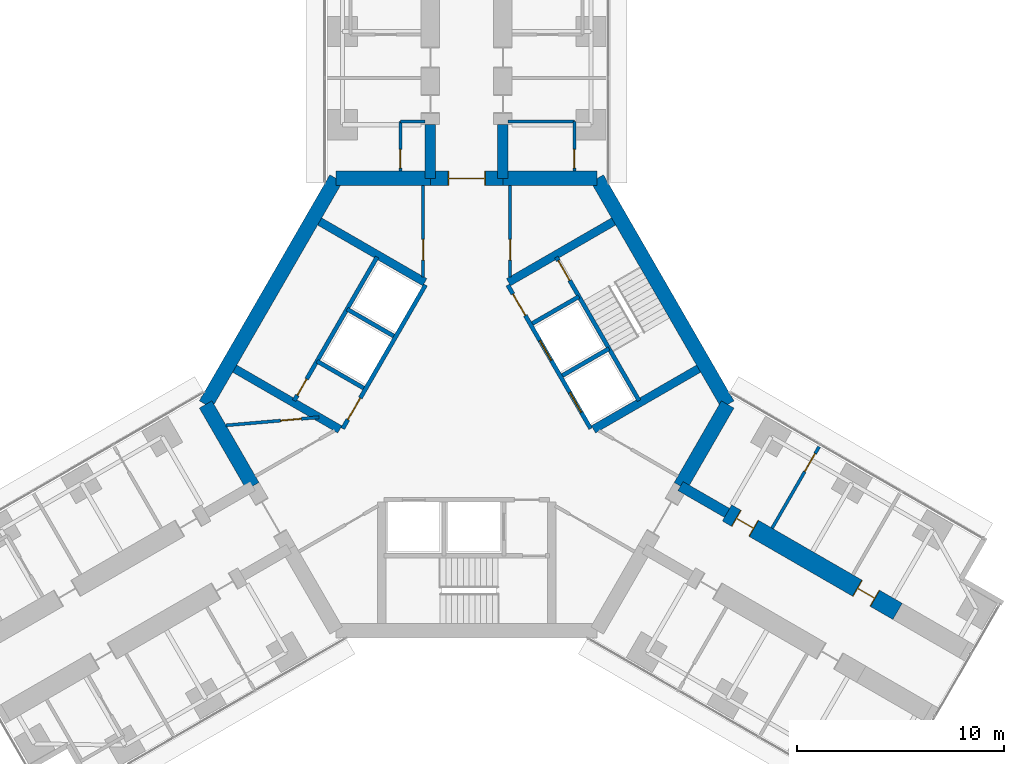
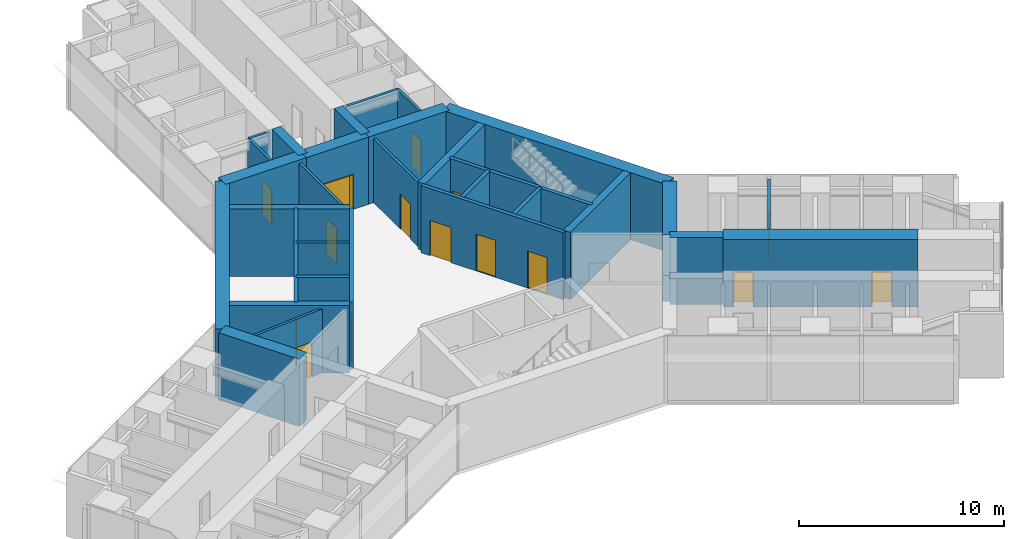
# One storey, part 21 of 24: 31 walls, 15 doors, 15 openings.
"""IFC4 building model written with IfcOpenShell, lengths in metres."""

from ifc_helpers import new_model, si_unit, direction, frame, frame_2d, origin, place, context, subcontext, project, spatial, rectangle, extrude, material, layer, layer_set, type_object, element, fill, save


model = new_model("IFC4")

# Units and contexts
model_context = context("Model", 3, precision=1e-05, world=origin(), true_north=direction((0.0, 1.0)))
body_context = subcontext(model_context, "Body", "Model", "MODEL_VIEW")
ifc_project = project(units=[si_unit("LENGTHUNIT", "METRE"), si_unit("AREAUNIT", "SQUARE_METRE"), si_unit("VOLUMEUNIT", "CUBIC_METRE"), si_unit("PLANEANGLEUNIT", "RADIAN"), si_unit("MASSUNIT", "GRAM", prefix="KILO")], contexts=[model_context])

# Site, building, storey
site_placement = place(None, origin())
site = spatial("IfcSite", under=ifc_project, at=site_placement, CompositionType="ELEMENT")
building_placement = place(site_placement, origin())
building = spatial("IfcBuilding", under=site, at=building_placement, Name="Upepo Twin Towers", CompositionType="ELEMENT")
storey_placement = place(building_placement, frame((0.0, 0.0, 60.5)))
storey = spatial("IfcBuildingStorey", under=building, at=storey_placement, Name="L14", CompositionType="ELEMENT", Elevation=60.5)

# Walls
ifc_material_1 = material(Name="Concrete C60/75", Category="concrete")
ifc_layer_1 = layer(ifc_material_1, 0.5)
ifc_layer_set_1 = layer_set([ifc_layer_1], Name="Concrete C60/75")
wall_type_1 = type_object("IfcWallType", Name="Buttress wall 500 RC", PredefinedType="SHEAR", material=ifc_layer_set_1)
for number, where, z_axis, x_axis, name in (
    (1, (56.75, -7.091552734375, 0.0), (0.0, 0.0, 1.0), (0.0, 1.0, 0.0), "T2 wing A buttress wall L"),
    (2, (60.25, -7.091552734375, 0.0), (0.0, 0.0, 1.0), (0.0, 1.0, 0.0), "T2 wing A buttress wall R"),
):
    element("IfcWall", number, at=place(storey_placement, frame(where, z_axis=z_axis, x_axis=x_axis)), inside=storey, type_object=wall_type_1, Name=name, PredefinedType="SHEAR", context=body_context, shape_type="SweptSolid", body=[
        extrude(rectangle(XDim=2.591552734375, YDim=0.5, at=frame_2d((1.2958984375, 0.0))), origin(), (0.0, 0.0, 1.0), 4.0),
    ])
wall_1_placement = place(storey_placement, frame((68.82177734375, -21.938720703125, 0.0), z_axis=(0.0, 0.0, 1.0), x_axis=(0.866072649678, -0.499918158782, 0.0)))
element("IfcWall", 3, at=wall_1_placement, inside=storey, type_object=wall_type_1, Name="T2 wing C buttress wall L", PredefinedType="SHEAR", context=body_context, shape_type="SweptSolid", body=[
    extrude(rectangle(XDim=2.591796875, YDim=0.5, at=frame_2d((1.2958984375, 0.0))), origin(), (0.0, 0.0, 1.0), 4.0),
])

# Wall, openings, doors
ifc_material_2 = material(Name="Concrete C60/75", Category="concrete")
ifc_layer_2 = layer(ifc_material_2, 0.89990234375)
ifc_layer_set_2 = layer_set([ifc_layer_2], Name="Concrete C60/75")
wall_type_2 = type_object("IfcWallType", Name="Buttress wall 900 RC", PredefinedType="SHEAR", material=ifc_layer_set_2)
wall_2_placement = place(storey_placement, frame((71.06640625, -23.234375, 0.0), z_axis=(0.0, 0.0, 1.0), x_axis=(0.86602681393, -0.499997557548, 0.0)))
wall_2 = element("IfcWall", 4, at=wall_2_placement, inside=storey, type_object=wall_type_2, Name="T2 wing C buttress wall L part 2", PredefinedType="SHEAR", context=body_context, shape_type="SweptSolid", body=[
    extrude(rectangle(XDim=9.5, YDim=0.89990234375, at=frame_2d((4.75, 0.0))), origin(), (0.0, 0.0, 1.0), 4.0),
])
opening_1_placement = place(wall_2_placement, frame((0.5, 0.0, 0.0)))
opening_1 = element("IfcOpeningElement", 5, at=opening_1_placement, cuts=wall_2, Name="Opening D1", PredefinedType="OPENING", context=body_context, shape_type="SweptSolid", body=[
    extrude(rectangle(XDim=1.0, YDim=2.10009765625, at=frame_2d((0.5, 1.050048828125))), frame((0.0, 0.4599609375, 0.0), z_axis=(0.0, -1.0, 0.0), x_axis=(1.0, 0.0, 0.0)), (0.0, 0.0, 1.0), 0.919921875),
])
opening_2_placement = place(wall_2_placement, frame((7.25, 0.0, 0.0)))
opening_2 = element("IfcOpeningElement", 6, at=opening_2_placement, cuts=wall_2, Name="Opening D1", PredefinedType="OPENING", context=body_context, shape_type="SweptSolid", body=[
    extrude(rectangle(XDim=1.0, YDim=2.10009765625, at=frame_2d((0.5, 1.050048828125))), frame((0.0, 0.4599609375, 0.0), z_axis=(0.0, -1.0, 0.0), x_axis=(1.0, 0.0, 0.0)), (0.0, 0.0, 1.0), 0.919921875),
])
ifc_material_3 = material(Name="Timber doorset", Category="wood")
door_type_1 = type_object("IfcDoorType", Name="Room door 1000 FD30", OperationType="SINGLE_SWING_LEFT", PredefinedType="DOOR", material=ifc_material_3)
door_1_placement = place(opening_1_placement, origin())
door_1 = element("IfcDoor", 7, at=door_1_placement, inside=storey, type_object=door_type_1, Name="T2 L14 seminar room door", OperationType="SINGLE_SWING_LEFT", OverallHeight=2.10009765625, OverallWidth=1.0, PredefinedType="DOOR", context=body_context, shape_type="SweptSolid", body=[
    extrude(rectangle(XDim=0.92, YDim=2.06009765625, at=frame_2d((0.5, 1.030029296875))), frame((0.0, 0.02490234375, 0.0), z_axis=(0.0, -1.0, 0.0), x_axis=(1.0, 0.0, 0.0)), (0.0, 0.0, 1.0), 0.050048828125),
    extrude(rectangle(XDim=0.04, YDim=2.10009765625, at=frame_2d((0.02001953125, 1.050048828125))), frame((0.0, 0.44970703125, 0.0), z_axis=(0.0, -1.0, 0.0), x_axis=(1.0, 0.0, 0.0)), (0.0, 0.0, 1.0), 0.8994140625),
    extrude(rectangle(XDim=0.04, YDim=2.10009765625, at=frame_2d((0.97998046875, 1.050048828125))), frame((0.0, 0.44970703125, 0.0), z_axis=(0.0, -1.0, 0.0), x_axis=(1.0, 0.0, 0.0)), (0.0, 0.0, 1.0), 0.8994140625),
    extrude(rectangle(XDim=0.92, YDim=0.04, at=frame_2d((0.5, 2.080078125))), frame((0.0, 0.44970703125, 0.0), z_axis=(0.0, -1.0, 0.0), x_axis=(1.0, 0.0, 0.0)), (0.0, 0.0, 1.0), 0.8994140625),
])
fill(opening_1, door_1)
door_2_placement = place(opening_2_placement, origin())
door_2 = element("IfcDoor", 8, at=door_2_placement, inside=storey, type_object=door_type_1, Name="T2 L14 tutorial room door", OperationType="SINGLE_SWING_RIGHT", OverallHeight=2.10009765625, OverallWidth=1.0, PredefinedType="DOOR", context=body_context, shape_type="SweptSolid", body=[
    extrude(rectangle(XDim=0.92, YDim=2.06009765625, at=frame_2d((0.5, 1.030029296875))), frame((0.0, 0.02490234375, 0.0), z_axis=(0.0, -1.0, 0.0), x_axis=(1.0, 0.0, 0.0)), (0.0, 0.0, 1.0), 0.050048828125),
    extrude(rectangle(XDim=0.04, YDim=2.10009765625, at=frame_2d((0.02001953125, 1.050048828125))), frame((0.0, 0.44970703125, 0.0), z_axis=(0.0, -1.0, 0.0), x_axis=(1.0, 0.0, 0.0)), (0.0, 0.0, 1.0), 0.8994140625),
    extrude(rectangle(XDim=0.04, YDim=2.10009765625, at=frame_2d((0.97998046875, 1.050048828125))), frame((0.0, 0.44970703125, 0.0), z_axis=(0.0, -1.0, 0.0), x_axis=(1.0, 0.0, 0.0)), (0.0, 0.0, 1.0), 0.8994140625),
    extrude(rectangle(XDim=0.92, YDim=0.04, at=frame_2d((0.5, 2.080078125))), frame((0.0, 0.44970703125, 0.0), z_axis=(0.0, -1.0, 0.0), x_axis=(1.0, 0.0, 0.0)), (0.0, 0.0, 1.0), 0.8994140625),
])
fill(opening_2, door_2)

# Wall
ifc_material_4 = material(Name="Concrete C60/75", Category="concrete")
ifc_layer_3 = layer(ifc_material_4, 0.699951171875)
ifc_layer_set_3 = layer_set([ifc_layer_3], Name="Concrete C60/75")
wall_type_3 = type_object("IfcWallType", Name="Core wall 700 RC", PredefinedType="SHEAR", material=ifc_layer_set_3)
wall_3_placement = place(storey_placement, frame((64.7978515625, -7.091552734375, 0.0), z_axis=(0.0, 0.0, 1.0), x_axis=(-1.0, 0.0, 0.0)))
element("IfcWall", 9, at=wall_3_placement, inside=storey, type_object=wall_type_3, Name="T2 core wall 000 R", PredefinedType="SHEAR", context=body_context, shape_type="SweptSolid", body=[
    extrude(rectangle(XDim=4.5478515625, YDim=0.699951171875, at=frame_2d((2.27392578125, 0.0))), origin(), (0.0, 0.0, 1.0), 4.0),
])

# Wall, opening, door
wall_4_placement = place(storey_placement, frame((60.25, -7.091552734375, 0.0), z_axis=(0.0, 0.0, 1.0), x_axis=(-1.0, 0.0, 0.0)))
wall_4 = element("IfcWall", 10, at=wall_4_placement, inside=storey, type_object=wall_type_3, Name="T2 core wall 000", PredefinedType="SHEAR", context=body_context, shape_type="SweptSolid", body=[
    extrude(rectangle(XDim=3.5, YDim=0.699951171875, at=frame_2d((1.75, 0.0))), origin(), (0.0, 0.0, 1.0), 4.0),
])
opening_3_placement = place(wall_4_placement, frame((0.85009765625, 0.0, 0.0)))
opening_3 = element("IfcOpeningElement", 11, at=opening_3_placement, cuts=wall_4, Name="Opening D2", PredefinedType="OPENING", context=body_context, shape_type="SweptSolid", body=[
    extrude(rectangle(XDim=1.800048828125, YDim=2.10009765625, at=frame_2d((0.89990234375, 1.050048828125))), frame((0.0, 0.35986328125, 0.0), z_axis=(0.0, -1.0, 0.0), x_axis=(1.0, 0.0, 0.0)), (0.0, 0.0, 1.0), 0.719970703125),
])
ifc_material_5 = material(Name="Timber doorset", Category="wood")
door_type_2 = type_object("IfcDoorType", Name="Corridor double door 1800 FD60", OperationType="DOUBLE_DOOR_DOUBLE_SWING", PredefinedType="DOOR", material=ifc_material_5)
door_3_placement = place(opening_3_placement, origin())
door_3 = element("IfcDoor", 12, at=door_3_placement, inside=storey, type_object=door_type_2, Name="T2 L14 wing A corridor door", OperationType="DOUBLE_DOOR_DOUBLE_SWING", OverallHeight=2.10009765625, OverallWidth=1.800048828125, PredefinedType="DOOR", context=body_context, shape_type="SweptSolid", body=[
    extrude(rectangle(XDim=1.720048828125, YDim=2.06009765625, at=frame_2d((0.89990234375, 1.030029296875))), frame((0.0, 0.02490234375, 0.0), z_axis=(0.0, -1.0, 0.0), x_axis=(1.0, 0.0, 0.0)), (0.0, 0.0, 1.0), 0.050048828125),
    extrude(rectangle(XDim=0.04, YDim=2.10009765625, at=frame_2d((0.02001953125, 1.050048828125))), frame((0.0, 0.349609375, 0.0), z_axis=(0.0, -1.0, 0.0), x_axis=(1.0, 0.0, 0.0)), (0.0, 0.0, 1.0), 0.699462890625),
    extrude(rectangle(XDim=0.04, YDim=2.10009765625, at=frame_2d((1.780029296875, 1.050048828125))), frame((0.0, 0.349609375, 0.0), z_axis=(0.0, -1.0, 0.0), x_axis=(1.0, 0.0, 0.0)), (0.0, 0.0, 1.0), 0.699462890625),
    extrude(rectangle(XDim=1.720048828125, YDim=0.04, at=frame_2d((0.89990234375, 2.080078125))), frame((0.0, 0.349609375, 0.0), z_axis=(0.0, -1.0, 0.0), x_axis=(1.0, 0.0, 0.0)), (0.0, 0.0, 1.0), 0.699462890625),
])
fill(opening_3, door_3)

# Walls
wall_5_placement = place(storey_placement, frame((56.75, -7.091552734375, 0.0), z_axis=(0.0, 0.0, 1.0), x_axis=(-1.0, 0.0, 0.0)))
element("IfcWall", 13, at=wall_5_placement, inside=storey, type_object=wall_type_3, Name="T2 core wall 000 L", PredefinedType="SHEAR", context=body_context, shape_type="SweptSolid", body=[
    extrude(rectangle(XDim=4.5478515625, YDim=0.699951171875, at=frame_2d((2.27392578125, 0.0))), origin(), (0.0, 0.0, 1.0), 4.0),
])
wall_6_placement = place(storey_placement, frame((52.2021484375, -7.091552734375, 0.0), z_axis=(0.0, 0.0, 1.0), x_axis=(-0.500005998175, -0.866021940709, 0.0)))
element("IfcWall", 14, at=wall_6_placement, inside=storey, type_object=wall_type_3, Name="T2 core wall 060", PredefinedType="SHEAR", context=body_context, shape_type="SweptSolid", body=[
    extrude(rectangle(XDim=12.595947265625, YDim=0.699951171875, at=frame_2d((6.2978515625, 0.0))), origin(), (0.0, 0.0, 1.0), 4.0),
])
for number, where, z_axis, x_axis, name in (
    (15, (45.904052734375, -18.0, 0.0), (0.0, 0.0, 1.0), (0.500024481964, -0.866011268655, 0.0), "T2 core wall 120 R"),
    (16, (68.82177734375, -21.938720703125, 0.0), (0.0, 0.0, 1.0), (0.500024481964, 0.866011268655, 0.0), "T2 core wall 240 L"),
):
    element("IfcWall", number, at=place(storey_placement, frame(where, z_axis=z_axis, x_axis=x_axis)), inside=storey, type_object=wall_type_3, Name=name, PredefinedType="SHEAR", context=body_context, shape_type="SweptSolid", body=[
        extrude(rectangle(XDim=4.548095703125, YDim=0.699951171875, at=frame_2d((2.27392578125, 0.0))), origin(), (0.0, 0.0, 1.0), 4.0),
    ])
wall_7_placement = place(storey_placement, frame((71.095947265625, -18.0, 0.0), z_axis=(0.0, 0.0, 1.0), x_axis=(-0.500005998175, 0.866021940709, 0.0)))
element("IfcWall", 17, at=wall_7_placement, inside=storey, type_object=wall_type_3, Name="T2 core wall 300", PredefinedType="SHEAR", context=body_context, shape_type="SweptSolid", body=[
    extrude(rectangle(XDim=12.595947265625, YDim=0.699951171875, at=frame_2d((6.2978515625, 0.0))), origin(), (0.0, 0.0, 1.0), 4.0),
])

# Wall, opening, door
ifc_material_6 = material(Name="Concrete C40/50", Category="concrete")
ifc_layer_4 = layer(ifc_material_6, 0.199951171875)
ifc_layer_set_4 = layer_set([ifc_layer_4], Name="Concrete C40/50")
wall_type_4 = type_object("IfcWallType", Name="Shaft wall 200 RC", PredefinedType="SHEAR", material=ifc_layer_set_4)
wall_8_placement = place(storey_placement, frame((56.516357421875, -12.23583984375, 0.0), z_axis=(0.0, 0.0, 1.0), x_axis=(-0.49999894854, -0.866026010844, 0.0)))
wall_8 = element("IfcWall", 18, at=wall_8_placement, inside=storey, type_object=wall_type_4, Name="T2 core W60 front wall", PredefinedType="SHEAR", context=body_context, shape_type="SweptSolid", body=[
    extrude(rectangle(XDim=8.0, YDim=0.199951171875, at=frame_2d((4.0, 0.0))), origin(), (0.0, 0.0, 1.0), 4.0),
])
opening_4_placement = place(wall_8_placement, frame((6.300048828125, 0.0, 0.0)))
opening_4 = element("IfcOpeningElement", 19, at=opening_4_placement, cuts=wall_8, Name="Opening D4", PredefinedType="OPENING", context=body_context, shape_type="SweptSolid", body=[
    extrude(rectangle(XDim=1.199951171875, YDim=2.10009765625, at=frame_2d((0.60009765625, 1.050048828125))), frame((0.0, 0.10986328125, 0.0), z_axis=(0.0, -1.0, 0.0), x_axis=(1.0, 0.0, 0.0)), (0.0, 0.0, 1.0), 0.219970703125),
])
ifc_material_7 = material(Name="Timber doorset", Category="wood")
door_type_3 = type_object("IfcDoorType", Name="Lobby door 1200 FD60", OperationType="SINGLE_SWING_LEFT", PredefinedType="DOOR", material=ifc_material_7)
door_4_placement = place(opening_4_placement, origin())
door_4 = element("IfcDoor", 20, at=door_4_placement, inside=storey, type_object=door_type_3, Name="T2 L14 W60 lobby door", OperationType="SINGLE_SWING_RIGHT", OverallHeight=2.10009765625, OverallWidth=1.199951171875, PredefinedType="DOOR", context=body_context, shape_type="SweptSolid", body=[
    extrude(rectangle(XDim=1.199951171875, YDim=2.10009765625, at=frame_2d((0.60009765625, 1.050048828125))), frame((0.0, 0.02490234375, 0.0), z_axis=(0.0, -1.0, 0.0), x_axis=(1.0, 0.0, 0.0)), (0.0, 0.0, 1.0), 0.050048828125),
])
fill(opening_4, door_4)

# Walls
for number, where, z_axis, x_axis, name in (
    (21, (54.979736328125, -14.697265625, 0.0), (0.0, 0.0, 1.0), (-0.866062058628, 0.499936506574, 0.0), "T2 core W60 shaft divider"),
    (22, (53.52978515625, -17.208740234375, 0.0), (0.0, 0.0, 1.0), (-0.866062058628, 0.499936506574, 0.0), "T2 core W60 lobby wall"),
):
    element("IfcWall", number, at=place(storey_placement, frame(where, z_axis=z_axis, x_axis=x_axis)), inside=storey, type_object=wall_type_4, Name=name, PredefinedType="SHEAR", context=body_context, shape_type="SweptSolid", body=[
        extrude(rectangle(XDim=2.599853515625, YDim=0.199951171875, at=frame_2d((1.2998046875, 0.0))), origin(), (0.0, 0.0, 1.0), 4.0),
    ])

# Wall, opening, door
wall_9_placement = place(storey_placement, frame((54.177978515625, -10.885986328125, 0.0), z_axis=(0.0, 0.0, 1.0), x_axis=(-0.49999894854, -0.866026010844, 0.0)))
wall_9 = element("IfcWall", 23, at=wall_9_placement, inside=storey, type_object=wall_type_4, Name="T2 core W60 stair wall", PredefinedType="SHEAR", context=body_context, shape_type="SweptSolid", body=[
    extrude(rectangle(XDim=8.0, YDim=0.199951171875, at=frame_2d((4.0, 0.0))), origin(), (0.0, 0.0, 1.0), 4.0),
])
opening_5_placement = place(wall_9_placement, frame((6.800048828125, 0.0, 0.0)))
opening_5 = element("IfcOpeningElement", 24, at=opening_5_placement, cuts=wall_9, Name="Opening D9", PredefinedType="OPENING", context=body_context, shape_type="SweptSolid", body=[
    extrude(rectangle(XDim=0.89990234375, YDim=2.10009765625, at=frame_2d((0.449951171875, 1.050048828125))), frame((0.0, 0.10986328125, 0.0), z_axis=(0.0, -1.0, 0.0), x_axis=(1.0, 0.0, 0.0)), (0.0, 0.0, 1.0), 0.219970703125),
])
ifc_material_8 = material(Name="Timber doorset", Category="wood")
door_type_4 = type_object("IfcDoorType", Name="Riser door 900 FD60", OperationType="SINGLE_SWING_LEFT", PredefinedType="DOOR", material=ifc_material_8)
door_5_placement = place(opening_5_placement, origin())
door_5 = element("IfcDoor", 25, at=door_5_placement, inside=storey, type_object=door_type_4, Name="T2 L14 riser door", OperationType="SINGLE_SWING_RIGHT", OverallHeight=2.10009765625, OverallWidth=0.89990234375, PredefinedType="DOOR", context=body_context, shape_type="SweptSolid", body=[
    extrude(rectangle(XDim=0.89990234375, YDim=2.10009765625, at=frame_2d((0.449951171875, 1.050048828125))), frame((0.0, 0.02490234375, 0.0), z_axis=(0.0, -1.0, 0.0), x_axis=(1.0, 0.0, 0.0)), (0.0, 0.0, 1.0), 0.050048828125),
])
fill(opening_5, door_5)

# Wall, openings, doors
wall_10_placement = place(storey_placement, frame((64.483642578125, -19.1640625, 0.0), z_axis=(0.0, 0.0, 1.0), x_axis=(-0.49999894854, 0.866026010844, 0.0)))
wall_10 = element("IfcWall", 26, at=wall_10_placement, inside=storey, type_object=wall_type_4, Name="T2 core W300 front wall", PredefinedType="SHEAR", context=body_context, shape_type="SweptSolid", body=[
    extrude(rectangle(XDim=8.0, YDim=0.199951171875, at=frame_2d((4.0, 0.0))), origin(), (0.0, 0.0, 1.0), 4.0),
])
opening_6_placement = place(wall_10_placement, frame((6.300048828125, 0.0, 0.0)))
opening_6 = element("IfcOpeningElement", 27, at=opening_6_placement, cuts=wall_10, Name="Opening D4", PredefinedType="OPENING", context=body_context, shape_type="SweptSolid", body=[
    extrude(rectangle(XDim=1.199951171875, YDim=2.10009765625, at=frame_2d((0.60009765625, 1.050048828125))), frame((0.0, 0.10986328125, 0.0), z_axis=(0.0, -1.0, 0.0), x_axis=(1.0, 0.0, 0.0)), (0.0, 0.0, 1.0), 0.219970703125),
])
opening_7_placement = place(wall_10_placement, frame((0.89990234375, 0.0, 0.0)))
opening_7 = element("IfcOpeningElement", 28, at=opening_7_placement, cuts=wall_10, Name="Opening LD1", PredefinedType="OPENING", context=body_context, shape_type="SweptSolid", body=[
    extrude(rectangle(XDim=1.10009765625, YDim=2.199951171875, at=frame_2d((0.550048828125, 1.10009765625))), frame((0.0, 0.10986328125, 0.0), z_axis=(0.0, -1.0, 0.0), x_axis=(1.0, 0.0, 0.0)), (0.0, 0.0, 1.0), 0.219970703125),
])
opening_8_placement = place(wall_10_placement, frame((3.800048828125, 0.0, 0.0)))
opening_8 = element("IfcOpeningElement", 29, at=opening_8_placement, cuts=wall_10, Name="Opening LD1", PredefinedType="OPENING", context=body_context, shape_type="SweptSolid", body=[
    extrude(rectangle(XDim=1.10009765625, YDim=2.199951171875, at=frame_2d((0.550048828125, 1.10009765625))), frame((0.0, 0.10986328125, 0.0), z_axis=(0.0, -1.0, 0.0), x_axis=(1.0, 0.0, 0.0)), (0.0, 0.0, 1.0), 0.219970703125),
])
ifc_material_9 = material(Name="Steel doorset", Category="steel")
door_type_5 = type_object("IfcDoorType", Name="Lift landing door 1100", OperationType="DOUBLE_DOOR_SLIDING", PredefinedType="DOOR", material=ifc_material_9)
door_6_placement = place(opening_7_placement, origin())
door_6 = element("IfcDoor", 30, at=door_6_placement, inside=storey, type_object=door_type_5, Name="T2 L14 lift LL1 landing door", OperationType="DOUBLE_DOOR_SLIDING", OverallHeight=2.199951171875, OverallWidth=1.10009765625, PredefinedType="DOOR", context=body_context, shape_type="SweptSolid", body=[
    extrude(rectangle(XDim=1.10009765625, YDim=2.199951171875, at=frame_2d((0.550048828125, 1.10009765625))), frame((0.0, 0.02490234375, 0.0), z_axis=(0.0, -1.0, 0.0), x_axis=(1.0, 0.0, 0.0)), (0.0, 0.0, 1.0), 0.050048828125),
])
fill(opening_7, door_6)
door_7_placement = place(opening_8_placement, origin())
door_7 = element("IfcDoor", 31, at=door_7_placement, inside=storey, type_object=door_type_5, Name="T2 L14 lift LL2 landing door", OperationType="DOUBLE_DOOR_SLIDING", OverallHeight=2.199951171875, OverallWidth=1.10009765625, PredefinedType="DOOR", context=body_context, shape_type="SweptSolid", body=[
    extrude(rectangle(XDim=1.10009765625, YDim=2.199951171875, at=frame_2d((0.550048828125, 1.10009765625))), frame((0.0, 0.02490234375, 0.0), z_axis=(0.0, -1.0, 0.0), x_axis=(1.0, 0.0, 0.0)), (0.0, 0.0, 1.0), 0.050048828125),
])
fill(opening_8, door_7)
door_8_placement = place(opening_6_placement, origin())
door_8 = element("IfcDoor", 32, at=door_8_placement, inside=storey, type_object=door_type_3, Name="T2 L14 W300 lobby door", OperationType="SINGLE_SWING_RIGHT", OverallHeight=2.10009765625, OverallWidth=1.199951171875, PredefinedType="DOOR", context=body_context, shape_type="SweptSolid", body=[
    extrude(rectangle(XDim=1.199951171875, YDim=2.10009765625, at=frame_2d((0.60009765625, 1.050048828125))), frame((0.0, 0.02490234375, 0.0), z_axis=(0.0, -1.0, 0.0), x_axis=(1.0, 0.0, 0.0)), (0.0, 0.0, 1.0), 0.050048828125),
])
fill(opening_6, door_8)

# Walls
wall_11_placement = place(storey_placement, frame((63.120361328125, -16.6025390625, 0.0), z_axis=(0.0, 0.0, 1.0), x_axis=(0.866062058628, 0.499936506574, 0.0)))
element("IfcWall", 33, at=wall_11_placement, inside=storey, type_object=wall_type_4, Name="T2 core W300 shaft divider", PredefinedType="SHEAR", context=body_context, shape_type="SweptSolid", body=[
    extrude(rectangle(XDim=2.599853515625, YDim=0.199951171875, at=frame_2d((1.2998046875, 0.0))), origin(), (0.0, 0.0, 1.0), 4.0),
])
wall_12_placement = place(storey_placement, frame((61.67041015625, -14.091064453125, 0.0), z_axis=(0.0, 0.0, 1.0), x_axis=(0.86603858612, 0.49997716683, 0.0)))
element("IfcWall", 34, at=wall_12_placement, inside=storey, type_object=wall_type_4, Name="T2 core W300 lobby wall", PredefinedType="SHEAR", context=body_context, shape_type="SweptSolid", body=[
    extrude(rectangle(XDim=2.599609375, YDim=0.199951171875, at=frame_2d((1.2998046875, 0.0))), origin(), (0.0, 0.0, 1.0), 4.0),
])

# Wall, opening, door
wall_13_placement = place(storey_placement, frame((66.822021484375, -17.814208984375, 0.0), z_axis=(0.0, 0.0, 1.0), x_axis=(-0.49999894854, 0.866026010844, 0.0)))
wall_13 = element("IfcWall", 35, at=wall_13_placement, inside=storey, type_object=wall_type_4, Name="T2 core W300 stair wall", PredefinedType="SHEAR", context=body_context, shape_type="SweptSolid", body=[
    extrude(rectangle(XDim=8.0, YDim=0.199951171875, at=frame_2d((4.0, 0.0))), origin(), (0.0, 0.0, 1.0), 4.0),
])
opening_9_placement = place(wall_13_placement, frame((6.699951171875, 0.0, 0.0)))
opening_9 = element("IfcOpeningElement", 36, at=opening_9_placement, cuts=wall_13, Name="Opening D3", PredefinedType="OPENING", context=body_context, shape_type="SweptSolid", body=[
    extrude(rectangle(XDim=1.10009765625, YDim=2.10009765625, at=frame_2d((0.550048828125, 1.050048828125))), frame((0.0, 0.10986328125, 0.0), z_axis=(0.0, -1.0, 0.0), x_axis=(1.0, 0.0, 0.0)), (0.0, 0.0, 1.0), 0.219970703125),
])
ifc_material_10 = material(Name="Timber doorset", Category="wood")
door_type_6 = type_object("IfcDoorType", Name="Stair door 1100 FD60", OperationType="SINGLE_SWING_LEFT", PredefinedType="DOOR", material=ifc_material_10)
door_9_placement = place(opening_9_placement, origin())
door_9 = element("IfcDoor", 37, at=door_9_placement, inside=storey, type_object=door_type_6, Name="T2 L14 stair door", OperationType="SINGLE_SWING_RIGHT", OverallHeight=2.10009765625, OverallWidth=1.10009765625, PredefinedType="DOOR", context=body_context, shape_type="SweptSolid", body=[
    extrude(rectangle(XDim=1.10009765625, YDim=2.10009765625, at=frame_2d((0.550048828125, 1.050048828125))), frame((0.0, 0.02490234375, 0.0), z_axis=(0.0, -1.0, 0.0), x_axis=(1.0, 0.0, 0.0)), (0.0, 0.0, 1.0), 0.050048828125),
])
fill(opening_9, door_9)

# Walls
ifc_material_11 = material(Name="Concrete C40/50", Category="concrete")
ifc_layer_5 = layer(ifc_material_11, 0.39990234375)
ifc_layer_set_5 = layer_set([ifc_layer_5], Name="Concrete C40/50")
wall_type_5 = type_object("IfcWallType", Name="Shaft wall 400 RC", PredefinedType="SHEAR", material=ifc_layer_set_5)
for number, where, z_axis, x_axis, name in (
    (38, (52.379638671875, -19.20068359375, 0.0), (0.0, 0.0, 1.0), (-0.866023886965, 0.500002627198, 0.0), "T2 core W60 side wall N"),
    (39, (56.479736328125, -12.099365234375, 0.0), (0.0, 0.0, 1.0), (-0.866023886965, 0.500002627198, 0.0), "T2 core W60 side wall S"),
    (40, (60.520263671875, -12.099365234375, 0.0), (0.0, 0.0, 1.0), (0.866023886965, 0.500002627198, 0.0), "T2 core W300 side wall N"),
    (41, (64.620361328125, -19.20068359375, 0.0), (0.0, 0.0, 1.0), (0.866023886965, 0.500002627198, 0.0), "T2 core W300 side wall S"),
):
    element("IfcWall", number, at=place(storey_placement, frame(where, z_axis=z_axis, x_axis=x_axis)), inside=storey, type_object=wall_type_5, Name=name, PredefinedType="SHEAR", context=body_context, shape_type="SweptSolid", body=[
        extrude(rectangle(XDim=5.8583984375, YDim=0.39990234375, at=frame_2d((2.92919921875, 0.0))), origin(), (0.0, 0.0, 1.0), 4.0),
    ])

# Wall, opening, door
ifc_material_12 = material(Name="Gypsum board on steel studs", Category="steel")
ifc_layer_6 = layer(ifc_material_12, 0.14990234375)
ifc_layer_set_6 = layer_set([ifc_layer_6], Name="Teaching partition 150 acoustic")
wall_type_6 = type_object("IfcWallType", Name="Teaching partition 150 acoustic", PredefinedType="PARTITIONING", material=ifc_layer_set_6)
wall_14_placement = place(storey_placement, frame((55.300048828125, -6.741943359375, 0.0), z_axis=(0.0, 0.0, 1.0), x_axis=(0.0, 1.0, 0.0)))
wall_14 = element("IfcWall", 42, at=wall_14_placement, inside=storey, type_object=wall_type_6, Name="T2 WC bay partition AL at 11.26", PredefinedType="PARTITIONING", context=body_context, shape_type="SweptSolid", body=[
    extrude(rectangle(XDim=2.39990234375, YDim=0.14990234375, at=frame_2d((1.199951171875, 0.0))), origin(), (0.0, 0.0, 1.0), 3.800048828125),
])
opening_10_placement = place(wall_14_placement, frame((0.14990234375, 0.0, 0.0)))
opening_10 = element("IfcOpeningElement", 43, at=opening_10_placement, cuts=wall_14, Name="Opening D14", PredefinedType="OPENING", context=body_context, shape_type="SweptSolid", body=[
    extrude(rectangle(XDim=0.89990234375, YDim=2.10009765625, at=frame_2d((0.449951171875, 1.050048828125))), frame((0.0, 0.0849609375, 0.0), z_axis=(0.0, -1.0, 0.0), x_axis=(1.0, 0.0, 0.0)), (0.0, 0.0, 1.0), 0.169921875),
])
ifc_material_13 = material(Name="Timber doorset", Category="wood")
door_type_7 = type_object("IfcDoorType", Name="Office door 900 FD30", OperationType="SINGLE_SWING_LEFT", PredefinedType="DOOR", material=ifc_material_13)
door_10_placement = place(opening_10_placement, origin())
door_10 = element("IfcDoor", 44, at=door_10_placement, inside=storey, type_object=door_type_7, Name="T2 L14 WC bay inner room door", OperationType="SINGLE_SWING_LEFT", OverallHeight=2.10009765625, OverallWidth=0.89990234375, PredefinedType="DOOR", context=body_context, shape_type="SweptSolid", body=[
    extrude(rectangle(XDim=0.89990234375, YDim=2.10009765625, at=frame_2d((0.449951171875, 1.050048828125))), frame((0.0, 0.02490234375, 0.0), z_axis=(0.0, -1.0, 0.0), x_axis=(1.0, 0.0, 0.0)), (0.0, 0.0, 1.0), 0.050048828125),
])
fill(opening_10, door_10)

# Wall
wall_15_placement = place(storey_placement, frame((56.5, -4.342041015625, 0.0), z_axis=(0.0, 0.0, 1.0), x_axis=(-1.0, 0.0, 0.0)))
element("IfcWall", 45, at=wall_15_placement, inside=storey, type_object=wall_type_6, Name="T2 WC bay partition AL end at 13.66", PredefinedType="PARTITIONING", context=body_context, shape_type="SweptSolid", body=[
    extrude(rectangle(XDim=1.199951171875, YDim=0.14990234375, at=frame_2d((0.60009765625, 0.0))), origin(), (0.0, 0.0, 1.0), 3.800048828125),
])

# Wall, opening, door
wall_16_placement = place(storey_placement, frame((63.699951171875, -6.741943359375, 0.0), z_axis=(0.0, 0.0, 1.0), x_axis=(0.0, 1.0, 0.0)))
wall_16 = element("IfcWall", 46, at=wall_16_placement, inside=storey, type_object=wall_type_6, Name="T2 WC bay partition AR at 11.26", PredefinedType="PARTITIONING", context=body_context, shape_type="SweptSolid", body=[
    extrude(rectangle(XDim=2.39990234375, YDim=0.14990234375, at=frame_2d((1.199951171875, 0.0))), origin(), (0.0, 0.0, 1.0), 3.800048828125),
])
opening_11_placement = place(wall_16_placement, frame((0.14990234375, 0.0, 0.0)))
opening_11 = element("IfcOpeningElement", 47, at=opening_11_placement, cuts=wall_16, Name="Opening D14", PredefinedType="OPENING", context=body_context, shape_type="SweptSolid", body=[
    extrude(rectangle(XDim=0.89990234375, YDim=2.10009765625, at=frame_2d((0.449951171875, 1.050048828125))), frame((0.0, 0.0849609375, 0.0), z_axis=(0.0, -1.0, 0.0), x_axis=(1.0, 0.0, 0.0)), (0.0, 0.0, 1.0), 0.169921875),
])
door_11_placement = place(opening_11_placement, origin())
door_11 = element("IfcDoor", 48, at=door_11_placement, inside=storey, type_object=door_type_7, Name="T2 L14 WC bay inner room door", OperationType="SINGLE_SWING_LEFT", OverallHeight=2.10009765625, OverallWidth=0.89990234375, PredefinedType="DOOR", context=body_context, shape_type="SweptSolid", body=[
    extrude(rectangle(XDim=0.89990234375, YDim=2.10009765625, at=frame_2d((0.449951171875, 1.050048828125))), frame((0.0, 0.02490234375, 0.0), z_axis=(0.0, -1.0, 0.0), x_axis=(1.0, 0.0, 0.0)), (0.0, 0.0, 1.0), 0.050048828125),
])
fill(opening_11, door_11)

# Wall
wall_17_placement = place(storey_placement, frame((60.5, -4.342041015625, 0.0), z_axis=(0.0, 0.0, 1.0), x_axis=(1.0, 0.0, 0.0)))
element("IfcWall", 49, at=wall_17_placement, inside=storey, type_object=wall_type_6, Name="T2 WC bay partition AR end at 13.66", PredefinedType="PARTITIONING", context=body_context, shape_type="SweptSolid", body=[
    extrude(rectangle(XDim=3.199951171875, YDim=0.14990234375, at=frame_2d((1.60009765625, 0.0))), origin(), (0.0, 0.0, 1.0), 3.800048828125),
])

# Wall, opening, door
wall_18_placement = place(storey_placement, frame((73.239990234375, -23.9697265625, 0.0), z_axis=(0.0, 0.0, 1.0), x_axis=(0.499982560684, 0.866035472144, 0.0)))
wall_18 = element("IfcWall", 50, at=wall_18_placement, inside=storey, type_object=wall_type_6, Name="T2 partition CL at 15.75", PredefinedType="PARTITIONING", context=body_context, shape_type="SweptSolid", body=[
    extrude(rectangle(XDim=4.550048828125, YDim=0.14990234375, at=frame_2d((2.27490234375, 0.0))), origin(), (0.0, 0.0, 1.0), 3.800048828125),
])
opening_12_placement = place(wall_18_placement, frame((3.14990234375, 0.0, 0.0)))
opening_12 = element("IfcOpeningElement", 51, at=opening_12_placement, cuts=wall_18, Name="Opening D1", PredefinedType="OPENING", context=body_context, shape_type="SweptSolid", body=[
    extrude(rectangle(XDim=1.0, YDim=2.10009765625, at=frame_2d((0.5, 1.050048828125))), frame((0.0, 0.0849609375, 0.0), z_axis=(0.0, -1.0, 0.0), x_axis=(1.0, 0.0, 0.0)), (0.0, 0.0, 1.0), 0.169921875),
])
door_12_placement = place(opening_12_placement, origin())
door_12 = element("IfcDoor", 52, at=door_12_placement, inside=storey, type_object=door_type_1, Name="T2 L14 connecting door", OperationType="SINGLE_SWING_RIGHT", OverallHeight=2.10009765625, OverallWidth=1.0, PredefinedType="DOOR", context=body_context, shape_type="SweptSolid", body=[
    extrude(rectangle(XDim=1.0, YDim=2.10009765625, at=frame_2d((0.5, 1.050048828125))), frame((0.0, 0.02490234375, 0.0), z_axis=(0.0, -1.0, 0.0), x_axis=(1.0, 0.0, 0.0)), (0.0, 0.0, 1.0), 0.050048828125),
])
fill(opening_12, door_12)

wall_19_placement = place(storey_placement, frame((56.39990234375, -11.857421875, 0.0), z_axis=(0.0, 0.0, 1.0), x_axis=(0.0, 1.0, 0.0)))
wall_19 = element("IfcWall", 53, at=wall_19_placement, inside=storey, type_object=wall_type_6, Name="T2 core room partition 2", PredefinedType="PARTITIONING", context=body_context, shape_type="SweptSolid", body=[
    extrude(rectangle(XDim=4.42578125, YDim=0.14990234375, at=frame_2d((2.212890625, 0.0))), origin(), (0.0, 0.0, 1.0), 3.800048828125),
])
opening_13_placement = place(wall_19_placement, frame((0.82763671875, 0.0, 0.0)))
opening_13 = element("IfcOpeningElement", 54, at=opening_13_placement, cuts=wall_19, Name="Opening D1", PredefinedType="OPENING", context=body_context, shape_type="SweptSolid", body=[
    extrude(rectangle(XDim=1.0, YDim=2.10009765625, at=frame_2d((0.5, 1.050048828125))), frame((0.0, 0.0849609375, 0.0), z_axis=(0.0, -1.0, 0.0), x_axis=(1.0, 0.0, 0.0)), (0.0, 0.0, 1.0), 0.169921875),
])
door_13_placement = place(opening_13_placement, origin())
door_13 = element("IfcDoor", 55, at=door_13_placement, inside=storey, type_object=door_type_1, Name="T2 L14 core room door K7", OperationType="SINGLE_SWING_LEFT", OverallHeight=2.10009765625, OverallWidth=1.0, PredefinedType="DOOR", context=body_context, shape_type="SweptSolid", body=[
    extrude(rectangle(XDim=1.0, YDim=2.10009765625, at=frame_2d((0.5, 1.050048828125))), frame((0.0, 0.02490234375, 0.0), z_axis=(0.0, -1.0, 0.0), x_axis=(1.0, 0.0, 0.0)), (0.0, 0.0, 1.0), 0.050048828125),
])
fill(opening_13, door_13)

wall_20_placement = place(storey_placement, frame((60.60009765625, -7.431640625, 0.0), z_axis=(0.0, 0.0, 1.0), x_axis=(0.0, -1.0, 0.0)))
wall_20 = element("IfcWall", 56, at=wall_20_placement, inside=storey, type_object=wall_type_6, Name="T2 core room partition 3", PredefinedType="PARTITIONING", context=body_context, shape_type="SweptSolid", body=[
    extrude(rectangle(XDim=4.42578125, YDim=0.14990234375, at=frame_2d((2.212890625, 0.0))), origin(), (0.0, 0.0, 1.0), 3.800048828125),
])
opening_14_placement = place(wall_20_placement, frame((2.597900390625, 0.0, 0.0)))
opening_14 = element("IfcOpeningElement", 57, at=opening_14_placement, cuts=wall_20, Name="Opening D1", PredefinedType="OPENING", context=body_context, shape_type="SweptSolid", body=[
    extrude(rectangle(XDim=1.0, YDim=2.10009765625, at=frame_2d((0.5, 1.050048828125))), frame((0.0, 0.0849609375, 0.0), z_axis=(0.0, -1.0, 0.0), x_axis=(1.0, 0.0, 0.0)), (0.0, 0.0, 1.0), 0.169921875),
])
door_14_placement = place(opening_14_placement, origin())
door_14 = element("IfcDoor", 58, at=door_14_placement, inside=storey, type_object=door_type_1, Name="T2 L14 core room door K6", OperationType="SINGLE_SWING_RIGHT", OverallHeight=2.10009765625, OverallWidth=1.0, PredefinedType="DOOR", context=body_context, shape_type="SweptSolid", body=[
    extrude(rectangle(XDim=1.0, YDim=2.10009765625, at=frame_2d((0.5, 1.050048828125))), frame((0.0, 0.02490234375, 0.0), z_axis=(0.0, -1.0, 0.0), x_axis=(1.0, 0.0, 0.0)), (0.0, 0.0, 1.0), 0.050048828125),
])
fill(opening_14, door_14)

wall_21_placement = place(storey_placement, frame((51.37060546875, -18.617919921875, 0.0), z_axis=(0.0, 0.0, 1.0), x_axis=(-0.996259708579, -0.086409450071, 0.0)))
wall_21 = element("IfcWall", 59, at=wall_21_placement, inside=storey, type_object=wall_type_6, Name="T2 core room partition 7", PredefinedType="PARTITIONING", context=body_context, shape_type="SweptSolid", body=[
    extrude(rectangle(XDim=4.498046875, YDim=0.14990234375, at=frame_2d((2.2490234375, 0.0))), origin(), (0.0, 0.0, 1.0), 3.800048828125),
])
opening_15_placement = place(wall_21_placement, frame((0.849365234375, 0.0, 0.0)))
opening_15 = element("IfcOpeningElement", 60, at=opening_15_placement, cuts=wall_21, Name="Opening D1", PredefinedType="OPENING", context=body_context, shape_type="SweptSolid", body=[
    extrude(rectangle(XDim=1.0, YDim=2.10009765625, at=frame_2d((0.5, 1.050048828125))), frame((0.0, 0.0849609375, 0.0), z_axis=(0.0, -1.0, 0.0), x_axis=(1.0, 0.0, 0.0)), (0.0, 0.0, 1.0), 0.169921875),
])
door_15_placement = place(opening_15_placement, origin())
door_15 = element("IfcDoor", 61, at=door_15_placement, inside=storey, type_object=door_type_1, Name="T2 L14 core room door K1", OperationType="SINGLE_SWING_LEFT", OverallHeight=2.10009765625, OverallWidth=1.0, PredefinedType="DOOR", context=body_context, shape_type="SweptSolid", body=[
    extrude(rectangle(XDim=1.0, YDim=2.10009765625, at=frame_2d((0.5, 1.050048828125))), frame((0.0, 0.02490234375, 0.0), z_axis=(0.0, -1.0, 0.0), x_axis=(1.0, 0.0, 0.0)), (0.0, 0.0, 1.0), 0.050048828125),
])
fill(opening_15, door_15)

save(model, "model.ifc")
